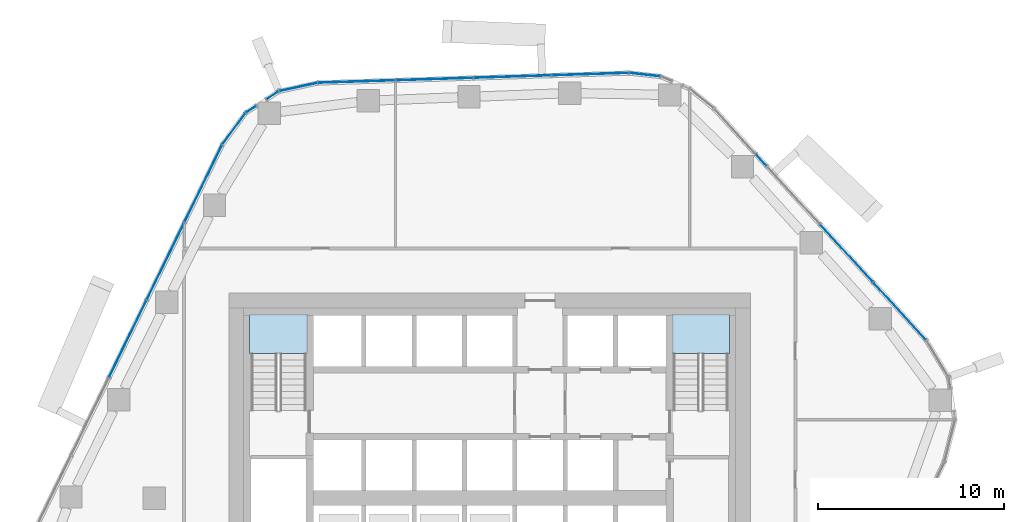
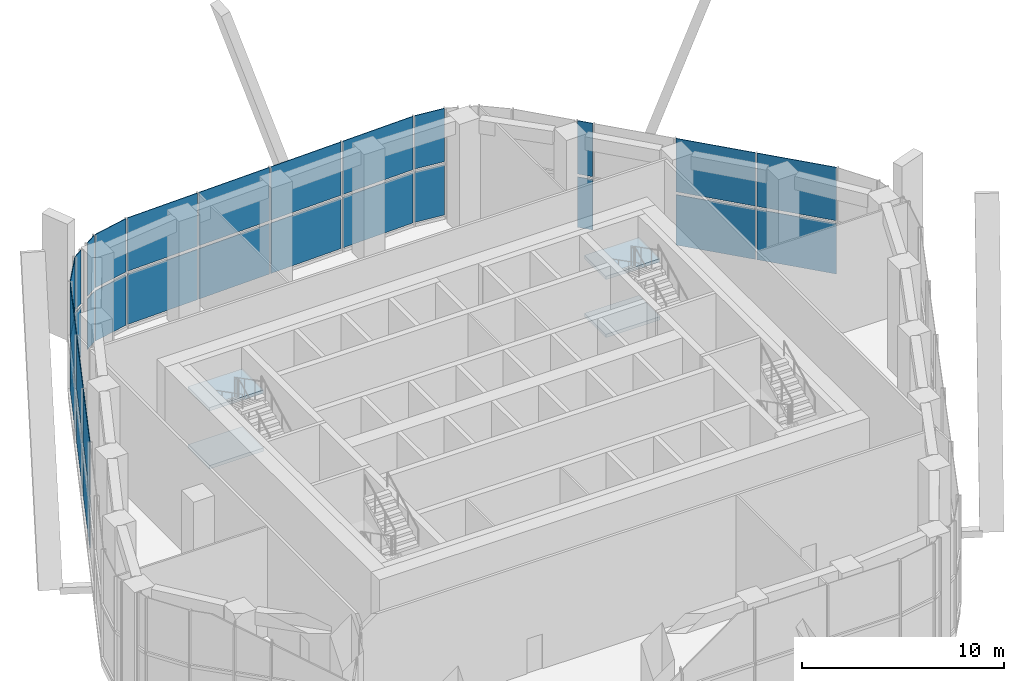
# One storey, part 10 of 20: 30 plates, 4 slabs, 8 elements without a shape of their own.
"""IFC4 building model written with IfcOpenShell, lengths in metres."""

from ifc_helpers import new_model, si_unit, direction, frame, origin, origin_2d, place, context, subcontext, project, spatial, polyline, rectangle, outline, extrude, material, layer, layer_set, type_object, element, aggregate, save


model = new_model("IFC4")

# Units and contexts
model_context = context("Model", 3, precision=1e-05, world=origin(), true_north=direction((0.0, 1.0)))
body_context = subcontext(model_context, "Body", "Model", "MODEL_VIEW")
ifc_project = project(units=[si_unit("LENGTHUNIT", "METRE"), si_unit("AREAUNIT", "SQUARE_METRE"), si_unit("VOLUMEUNIT", "CUBIC_METRE"), si_unit("PLANEANGLEUNIT", "RADIAN"), si_unit("MASSUNIT", "GRAM", prefix="KILO")], contexts=[model_context])

# Site, building, storey
site_placement = place(None, origin())
site = spatial("IfcSite", under=ifc_project, at=site_placement, CompositionType="ELEMENT")
building_placement = place(site_placement, origin())
building = spatial("IfcBuilding", under=site, at=building_placement, Name="Dongbaek Canopy Tower", CompositionType="ELEMENT")
storey_placement = place(building_placement, frame((0.0, 0.0, 151.60009765625)))
storey = spatial("IfcBuildingStorey", under=building, at=storey_placement, Name="L33", CompositionType="ELEMENT", Elevation=151.60009765625)

# Curtain wall, plates
ifc_material_1 = material(Name="Aluminium 6063-T6 pale anodised", Category="aluminium")
ifc_layer_1 = layer(ifc_material_1, 0.25)
ifc_layer_set_1 = layer_set([ifc_layer_1], Name="CW-4 sky-lobby curtain wall")
curtain_wall_type = type_object("IfcCurtainWallType", Name="CW-4 sky-lobby curtain wall", PredefinedType="NOTDEFINED", material=ifc_layer_set_1)
curtain_wall_1_placement = place(storey_placement, origin())
curtain_wall_1 = element("IfcCurtainWall", 1, at=curtain_wall_1_placement, inside=storey, type_object=curtain_wall_type, Name="CW-4 curtain wall F0.1a", PredefinedType="NOTDEFINED")
ifc_material_2 = material(Name="Clear laminated glass", Category="glass")
ifc_layer_2 = layer(ifc_material_2, 0.035888671875)
ifc_layer_set_2 = layer_set([ifc_layer_2], Name="CW-4 glazed panel 36")
plate_type = type_object("IfcPlateType", Name="CW-4 glazed panel 36", PredefinedType="CURTAIN_PANEL", material=ifc_layer_set_2)
plate_1_placement = place(storey_placement, frame((21.9970703125, 10.0390625, 0.179931640625), z_axis=(0.0, 0.0, 1.0), x_axis=(-0.675756226876, 0.737125173792, 0.0)))
plate_1 = element("IfcPlate", 2, at=plate_1_placement, type_object=plate_type, Name="CW-4 panel F0.1a.1.1", PredefinedType="CURTAIN_PANEL", context=body_context, shape_type="SweptSolid", body=[
    extrude(rectangle(XDim=4.111083984375, YDim=0.035888671875, at=origin_2d()), origin(), (0.0, 0.0, 1.0), 3.0400390625),
])
plate_2_placement = place(storey_placement, frame((21.9970703125, 10.0390625, 3.39990234375), z_axis=(0.0, 0.0, 1.0), x_axis=(-0.675756226876, 0.737125173792, 0.0)))
plate_2 = element("IfcPlate", 3, at=plate_2_placement, type_object=plate_type, Name="CW-4 panel F0.1a.1.2", PredefinedType="CURTAIN_PANEL", context=body_context, shape_type="SweptSolid", body=[
    extrude(rectangle(XDim=4.111083984375, YDim=0.035888671875, at=origin_2d()), origin(), (0.0, 0.0, 1.0), 3.219970703125),
])
plate_3_placement = place(storey_placement, frame((19.152099609375, 13.142333984375, 0.179931640625), z_axis=(0.0, 0.0, 1.0), x_axis=(-0.675756226876, 0.737125173792, 0.0)))
plate_3 = element("IfcPlate", 4, at=plate_3_placement, type_object=plate_type, Name="CW-4 panel F0.1a.2.1", PredefinedType="CURTAIN_PANEL", context=body_context, shape_type="SweptSolid", body=[
    extrude(rectangle(XDim=4.12109375, YDim=0.035888671875, at=origin_2d()), origin(), (0.0, 0.0, 1.0), 3.0400390625),
])
plate_4_placement = place(storey_placement, frame((19.152099609375, 13.142333984375, 3.39990234375), z_axis=(0.0, 0.0, 1.0), x_axis=(-0.675756226876, 0.737125173792, 0.0)))
plate_4 = element("IfcPlate", 5, at=plate_4_placement, type_object=plate_type, Name="CW-4 panel F0.1a.2.2", PredefinedType="CURTAIN_PANEL", context=body_context, shape_type="SweptSolid", body=[
    extrude(rectangle(XDim=4.12109375, YDim=0.035888671875, at=origin_2d()), origin(), (0.0, 0.0, 1.0), 3.219970703125),
])
plate_5_placement = place(storey_placement, frame((14.576904296875, 18.133056640625, 0.179931640625), z_axis=(0.0, 0.0, 1.0), x_axis=(-0.675756226876, 0.737125173792, 0.0)))
plate_5 = element("IfcPlate", 6, at=plate_5_placement, type_object=plate_type, Name="CW-4 panel F0.1a.4.1", PredefinedType="CURTAIN_PANEL", context=body_context, shape_type="SweptSolid", body=[
    extrude(rectangle(XDim=0.801513671875, YDim=0.035888671875, at=origin_2d()), origin(), (0.0, 0.0, 1.0), 3.0400390625),
])
plate_6_placement = place(storey_placement, frame((14.576904296875, 18.133056640625, 3.39990234375), z_axis=(0.0, 0.0, 1.0), x_axis=(-0.675756226876, 0.737125173792, 0.0)))
plate_6 = element("IfcPlate", 7, at=plate_6_placement, type_object=plate_type, Name="CW-4 panel F0.1a.4.2", PredefinedType="CURTAIN_PANEL", context=body_context, shape_type="SweptSolid", body=[
    extrude(rectangle(XDim=0.801513671875, YDim=0.035888671875, at=origin_2d()), origin(), (0.0, 0.0, 1.0), 3.219970703125),
])
aggregate(curtain_wall_1, [plate_1, plate_2, plate_3, plate_4, plate_5, plate_6])

curtain_wall_2_placement = place(storey_placement, origin())
curtain_wall_2 = element("IfcCurtainWall", 8, at=curtain_wall_2_placement, inside=storey, type_object=curtain_wall_type, Name="CW-4 curtain wall K1.1b", PredefinedType="NOTDEFINED")
plate_7_placement = place(storey_placement, frame((8.32861328125, 22.725341796875, 0.179931640625), z_axis=(0.0, 0.0, 1.0), x_axis=(-0.993782174191, 0.111341772306, 0.0)))
plate_7 = element("IfcPlate", 9, at=plate_7_placement, type_object=plate_type, Name="CW-4 panel K1.1b.2.1", PredefinedType="CURTAIN_PANEL", context=body_context, shape_type="SweptSolid", body=[
    extrude(rectangle(XDim=1.599853515625, YDim=0.035888671875, at=origin_2d()), origin(), (0.0, 0.0, 1.0), 3.0400390625),
])
plate_8_placement = place(storey_placement, frame((8.32861328125, 22.725341796875, 3.39990234375), z_axis=(0.0, 0.0, 1.0), x_axis=(-0.993782174191, 0.111341772306, 0.0)))
plate_8 = element("IfcPlate", 10, at=plate_8_placement, type_object=plate_type, Name="CW-4 panel K1.1b.2.2", PredefinedType="CURTAIN_PANEL", context=body_context, shape_type="SweptSolid", body=[
    extrude(rectangle(XDim=1.599853515625, YDim=0.035888671875, at=origin_2d()), origin(), (0.0, 0.0, 1.0), 3.219970703125),
])
aggregate(curtain_wall_2, [plate_7, plate_8])

curtain_wall_3_placement = place(storey_placement, origin())
curtain_wall_3 = element("IfcCurtainWall", 11, at=curtain_wall_3_placement, inside=storey, type_object=curtain_wall_type, Name="CW-4 curtain wall F1.1", PredefinedType="NOTDEFINED")
plate_9_placement = place(storey_placement, frame((5.3994140625, 22.753173828125, 0.179931640625), z_axis=(0.0, 0.0, 1.0), x_axis=(-0.999492083011, -0.031868103134, 0.0)))
plate_9 = element("IfcPlate", 12, at=plate_9_placement, type_object=plate_type, Name="CW-4 panel F1.1.1.1", PredefinedType="CURTAIN_PANEL", context=body_context, shape_type="SweptSolid", body=[
    extrude(rectangle(XDim=4.0830078125, YDim=0.035888671875, at=origin_2d()), origin(), (0.0, 0.0, 1.0), 3.0400390625),
])
plate_10_placement = place(storey_placement, frame((5.3994140625, 22.753173828125, 3.39990234375), z_axis=(0.0, 0.0, 1.0), x_axis=(-0.999492083011, -0.031868103134, 0.0)))
plate_10 = element("IfcPlate", 13, at=plate_10_placement, type_object=plate_type, Name="CW-4 panel F1.1.1.2", PredefinedType="CURTAIN_PANEL", context=body_context, shape_type="SweptSolid", body=[
    extrude(rectangle(XDim=4.0830078125, YDim=0.035888671875, at=origin_2d()), origin(), (0.0, 0.0, 1.0), 3.219970703125),
])
plate_11_placement = place(storey_placement, frame((1.220703125, 22.619873046875, 0.179931640625), z_axis=(0.0, 0.0, 1.0), x_axis=(-0.999492083011, -0.031868103134, 0.0)))
plate_11 = element("IfcPlate", 14, at=plate_11_placement, type_object=plate_type, Name="CW-4 panel F1.1.2.1", PredefinedType="CURTAIN_PANEL", context=body_context, shape_type="SweptSolid", body=[
    extrude(rectangle(XDim=4.09033203125, YDim=0.035888671875, at=origin_2d()), origin(), (0.0, 0.0, 1.0), 3.0400390625),
])
plate_12_placement = place(storey_placement, frame((1.220703125, 22.619873046875, 3.39990234375), z_axis=(0.0, 0.0, 1.0), x_axis=(-0.999492083011, -0.031868103134, 0.0)))
plate_12 = element("IfcPlate", 15, at=plate_12_placement, type_object=plate_type, Name="CW-4 panel F1.1.2.2", PredefinedType="CURTAIN_PANEL", context=body_context, shape_type="SweptSolid", body=[
    extrude(rectangle(XDim=4.09033203125, YDim=0.035888671875, at=origin_2d()), origin(), (0.0, 0.0, 1.0), 3.219970703125),
])
plate_13_placement = place(storey_placement, frame((-2.96142578125, 22.486572265625, 0.179931640625), z_axis=(0.0, 0.0, 1.0), x_axis=(-0.999492083011, -0.031868103134, 0.0)))
plate_13 = element("IfcPlate", 16, at=plate_13_placement, type_object=plate_type, Name="CW-4 panel F1.1.3.1", PredefinedType="CURTAIN_PANEL", context=body_context, shape_type="SweptSolid", body=[
    extrude(rectangle(XDim=4.09033203125, YDim=0.035888671875, at=origin_2d()), origin(), (0.0, 0.0, 1.0), 3.0400390625),
])
plate_14_placement = place(storey_placement, frame((-2.96142578125, 22.486572265625, 3.39990234375), z_axis=(0.0, 0.0, 1.0), x_axis=(-0.999492083011, -0.031868103134, 0.0)))
plate_14 = element("IfcPlate", 17, at=plate_14_placement, type_object=plate_type, Name="CW-4 panel F1.1.3.2", PredefinedType="CURTAIN_PANEL", context=body_context, shape_type="SweptSolid", body=[
    extrude(rectangle(XDim=4.09033203125, YDim=0.035888671875, at=origin_2d()), origin(), (0.0, 0.0, 1.0), 3.219970703125),
])
plate_15_placement = place(storey_placement, frame((-7.138916015625, 22.353271484375, 0.179931640625), z_axis=(0.0, 0.0, 1.0), x_axis=(-0.999492083011, -0.031868103134, 0.0)))
plate_15 = element("IfcPlate", 18, at=plate_15_placement, type_object=plate_type, Name="CW-4 panel F1.1.4.1", PredefinedType="CURTAIN_PANEL", context=body_context, shape_type="SweptSolid", body=[
    extrude(rectangle(XDim=4.081298828125, YDim=0.035888671875, at=origin_2d()), origin(), (0.0, 0.0, 1.0), 3.0400390625),
])
plate_16_placement = place(storey_placement, frame((-7.138916015625, 22.353271484375, 3.39990234375), z_axis=(0.0, 0.0, 1.0), x_axis=(-0.999492083011, -0.031868103134, 0.0)))
plate_16 = element("IfcPlate", 19, at=plate_16_placement, type_object=plate_type, Name="CW-4 panel F1.1.4.2", PredefinedType="CURTAIN_PANEL", context=body_context, shape_type="SweptSolid", body=[
    extrude(rectangle(XDim=4.081298828125, YDim=0.035888671875, at=origin_2d()), origin(), (0.0, 0.0, 1.0), 3.219970703125),
])
aggregate(curtain_wall_3, [plate_9, plate_10, plate_11, plate_12, plate_13, plate_14, plate_15, plate_16])

curtain_wall_4_placement = place(storey_placement, origin())
curtain_wall_4 = element("IfcCurtainWall", 20, at=curtain_wall_4_placement, inside=storey, type_object=curtain_wall_type, Name="CW-4 curtain wall K2.1a", PredefinedType="NOTDEFINED")
plate_17_placement = place(storey_placement, frame((-10.26806640625, 22.0615234375, 0.179931640625), z_axis=(0.0, 0.0, 1.0), x_axis=(-0.977417719013, -0.211316356582, 0.0)))
plate_17 = element("IfcPlate", 21, at=plate_17_placement, type_object=plate_type, Name="CW-4 panel K2.1a.1.1", PredefinedType="CURTAIN_PANEL", context=body_context, shape_type="SweptSolid", body=[
    extrude(rectangle(XDim=2.039306640625, YDim=0.035888671875, at=origin_2d()), origin(), (0.0, 0.0, 1.0), 3.0400390625),
])
plate_18_placement = place(storey_placement, frame((-10.26806640625, 22.0615234375, 3.39990234375), z_axis=(0.0, 0.0, 1.0), x_axis=(-0.977417719013, -0.211316356582, 0.0)))
plate_18 = element("IfcPlate", 22, at=plate_18_placement, type_object=plate_type, Name="CW-4 panel K2.1a.1.2", PredefinedType="CURTAIN_PANEL", context=body_context, shape_type="SweptSolid", body=[
    extrude(rectangle(XDim=2.039306640625, YDim=0.035888671875, at=origin_2d()), origin(), (0.0, 0.0, 1.0), 3.219970703125),
])
plate_19_placement = place(storey_placement, frame((-11.654052734375, 21.613525390625, 0.179931640625), z_axis=(0.0, 0.0, 1.0), x_axis=(-0.839182729581, -0.543849562262, 0.0)))
plate_19 = element("IfcPlate", 23, at=plate_19_placement, type_object=plate_type, Name="CW-4 panel K2.1a.2.1", PredefinedType="CURTAIN_PANEL", context=body_context, shape_type="SweptSolid", body=[
    extrude(rectangle(XDim=0.72412109375, YDim=0.035888671875, at=origin_2d()), origin(), (0.0, 0.0, 1.0), 3.0400390625),
])
plate_20_placement = place(storey_placement, frame((-11.654052734375, 21.613525390625, 3.39990234375), z_axis=(0.0, 0.0, 1.0), x_axis=(-0.839182729581, -0.543849562262, 0.0)))
plate_20 = element("IfcPlate", 24, at=plate_20_placement, type_object=plate_type, Name="CW-4 panel K2.1a.2.2", PredefinedType="CURTAIN_PANEL", context=body_context, shape_type="SweptSolid", body=[
    extrude(rectangle(XDim=0.72412109375, YDim=0.035888671875, at=origin_2d()), origin(), (0.0, 0.0, 1.0), 3.219970703125),
])
aggregate(curtain_wall_4, [plate_17, plate_18, plate_19, plate_20])

curtain_wall_5_placement = place(storey_placement, origin())
curtain_wall_5 = element("IfcCurtainWall", 25, at=curtain_wall_5_placement, inside=storey, type_object=curtain_wall_type, Name="CW-4 curtain wall K2.1b", PredefinedType="NOTDEFINED")
plate_21_placement = place(storey_placement, frame((-12.80029296875, 20.87060546875, 0.179931640625), z_axis=(0.0, 0.0, 1.0), x_axis=(-0.839182729581, -0.543849562262, 0.0)))
plate_21 = element("IfcPlate", 26, at=plate_21_placement, type_object=plate_type, Name="CW-4 panel K2.1b.1.1", PredefinedType="CURTAIN_PANEL", context=body_context, shape_type="SweptSolid", body=[
    extrude(rectangle(XDim=0.604248046875, YDim=0.035888671875, at=origin_2d()), origin(), (0.0, 0.0, 1.0), 3.0400390625),
])
plate_22_placement = place(storey_placement, frame((-12.80029296875, 20.87060546875, 3.39990234375), z_axis=(0.0, 0.0, 1.0), x_axis=(-0.839182729581, -0.543849562262, 0.0)))
plate_22 = element("IfcPlate", 27, at=plate_22_placement, type_object=plate_type, Name="CW-4 panel K2.1b.1.2", PredefinedType="CURTAIN_PANEL", context=body_context, shape_type="SweptSolid", body=[
    extrude(rectangle(XDim=0.604248046875, YDim=0.035888671875, at=origin_2d()), origin(), (0.0, 0.0, 1.0), 3.219970703125),
])
plate_23_placement = place(storey_placement, frame((-13.724853515625, 19.8212890625, 0.179931640625), z_axis=(0.0, 0.0, 1.0), x_axis=(-0.592116443744, -0.805852416419, 0.0)))
plate_23 = element("IfcPlate", 28, at=plate_23_placement, type_object=plate_type, Name="CW-4 panel K2.1b.2.1", PredefinedType="CURTAIN_PANEL", context=body_context, shape_type="SweptSolid", body=[
    extrude(rectangle(XDim=2.039306640625, YDim=0.035888671875, at=origin_2d()), origin(), (0.0, 0.0, 1.0), 3.0400390625),
])
plate_24_placement = place(storey_placement, frame((-13.724853515625, 19.8212890625, 3.39990234375), z_axis=(0.0, 0.0, 1.0), x_axis=(-0.592116443744, -0.805852416419, 0.0)))
plate_24 = element("IfcPlate", 29, at=plate_24_placement, type_object=plate_type, Name="CW-4 panel K2.1b.2.2", PredefinedType="CURTAIN_PANEL", context=body_context, shape_type="SweptSolid", body=[
    extrude(rectangle(XDim=2.039306640625, YDim=0.035888671875, at=origin_2d()), origin(), (0.0, 0.0, 1.0), 3.219970703125),
])
aggregate(curtain_wall_5, [plate_21, plate_22, plate_23, plate_24])

curtain_wall_6_placement = place(storey_placement, origin())
curtain_wall_6 = element("IfcCurtainWall", 30, at=curtain_wall_6_placement, inside=storey, type_object=curtain_wall_type, Name="CW-4 curtain wall F2.1", PredefinedType="NOTDEFINED")
plate_25_placement = place(storey_placement, frame((-15.367919921875, 16.881591796875, 0.179931640625), z_axis=(0.0, 0.0, 1.0), x_axis=(-0.437336359513, -0.899298008809, 0.0)))
plate_25 = element("IfcPlate", 31, at=plate_25_placement, type_object=plate_type, Name="CW-4 panel F2.1.1.1", PredefinedType="CURTAIN_PANEL", context=body_context, shape_type="SweptSolid", body=[
    extrude(rectangle(XDim=4.5322265625, YDim=0.035888671875, at=origin_2d()), origin(), (0.0, 0.0, 1.0), 3.0400390625),
])
plate_26_placement = place(storey_placement, frame((-15.367919921875, 16.881591796875, 3.39990234375), z_axis=(0.0, 0.0, 1.0), x_axis=(-0.437336359513, -0.899298008809, 0.0)))
plate_26 = element("IfcPlate", 32, at=plate_26_placement, type_object=plate_type, Name="CW-4 panel F2.1.1.2", PredefinedType="CURTAIN_PANEL", context=body_context, shape_type="SweptSolid", body=[
    extrude(rectangle(XDim=4.5322265625, YDim=0.035888671875, at=origin_2d()), origin(), (0.0, 0.0, 1.0), 3.219970703125),
])
plate_27_placement = place(storey_placement, frame((-17.39306640625, 12.717041015625, 0.179931640625), z_axis=(0.0, 0.0, 1.0), x_axis=(-0.437336359513, -0.899298008809, 0.0)))
plate_27 = element("IfcPlate", 33, at=plate_27_placement, type_object=plate_type, Name="CW-4 panel F2.1.2.1", PredefinedType="CURTAIN_PANEL", context=body_context, shape_type="SweptSolid", body=[
    extrude(rectangle(XDim=4.541259765625, YDim=0.035888671875, at=origin_2d()), origin(), (0.0, 0.0, 1.0), 3.0400390625),
])
plate_28_placement = place(storey_placement, frame((-17.39306640625, 12.717041015625, 3.39990234375), z_axis=(0.0, 0.0, 1.0), x_axis=(-0.437336359513, -0.899298008809, 0.0)))
plate_28 = element("IfcPlate", 34, at=plate_28_placement, type_object=plate_type, Name="CW-4 panel F2.1.2.2", PredefinedType="CURTAIN_PANEL", context=body_context, shape_type="SweptSolid", body=[
    extrude(rectangle(XDim=4.541259765625, YDim=0.035888671875, at=origin_2d()), origin(), (0.0, 0.0, 1.0), 3.219970703125),
])
plate_29_placement = place(storey_placement, frame((-19.42041015625, 8.548583984375, 0.179931640625), z_axis=(0.0, 0.0, 1.0), x_axis=(-0.437336359513, -0.899298008809, 0.0)))
plate_29 = element("IfcPlate", 35, at=plate_29_placement, type_object=plate_type, Name="CW-4 panel F2.1.3.1", PredefinedType="CURTAIN_PANEL", context=body_context, shape_type="SweptSolid", body=[
    extrude(rectangle(XDim=4.541259765625, YDim=0.035888671875, at=origin_2d()), origin(), (0.0, 0.0, 1.0), 3.0400390625),
])
plate_30_placement = place(storey_placement, frame((-19.42041015625, 8.548583984375, 3.39990234375), z_axis=(0.0, 0.0, 1.0), x_axis=(-0.437336359513, -0.899298008809, 0.0)))
plate_30 = element("IfcPlate", 36, at=plate_30_placement, type_object=plate_type, Name="CW-4 panel F2.1.3.2", PredefinedType="CURTAIN_PANEL", context=body_context, shape_type="SweptSolid", body=[
    extrude(rectangle(XDim=4.541259765625, YDim=0.035888671875, at=origin_2d()), origin(), (0.0, 0.0, 1.0), 3.219970703125),
])
aggregate(curtain_wall_6, [plate_25, plate_26, plate_27, plate_28, plate_29, plate_30])

# Stair, slabs
ifc_material_3 = material(Name="Concrete C40/50", Category="concrete")
stair_type = type_object("IfcStairType", Name="Core exit stair", PredefinedType="HALF_TURN_STAIR", material=ifc_material_3)
stair_1_placement = place(storey_placement, origin())
stair_1 = element("IfcStair", 37, at=stair_1_placement, inside=storey, type_object=stair_type, Name="L33 exit stair A", PredefinedType="HALF_TURN_STAIR")
ifc_material_4 = material(Name="Concrete C40/50", Category="concrete")
ifc_layer_3 = layer(ifc_material_4, 0.199951171875)
ifc_layer_set_3 = layer_set([ifc_layer_3], Name="Core stair landing 200")
slab_type = type_object("IfcSlabType", Name="Core stair landing 200", PredefinedType="LANDING", material=ifc_layer_set_3)
slab_1_placement = place(storey_placement, frame((0.0, 0.0, 1.5498046875)))
slab_1 = element("IfcSlab", 38, at=slab_1_placement, type_object=slab_type, Name="ST-A landing 1", PredefinedType="LANDING", context=body_context, shape_type="SweptSolid", body=[
    extrude(outline(polyline([(12.875, 7.760009765625), (12.875, 9.875), (9.77490234375, 9.875), (9.77490234375, 7.760009765625), (12.875, 7.760009765625)])), origin(), (0.0, 0.0, 1.0), 0.2001953125),
])
slab_2_placement = place(storey_placement, frame((0.0, 0.0, 5.0498046875)))
slab_2 = element("IfcSlab", 39, at=slab_2_placement, type_object=slab_type, Name="ST-A landing 3", PredefinedType="LANDING", context=body_context, shape_type="SweptSolid", body=[
    extrude(outline(polyline([(12.875, 7.760009765625), (12.875, 9.875), (9.77490234375, 9.875), (9.77490234375, 7.760009765625), (12.875, 7.760009765625)])), origin(), (0.0, 0.0, 1.0), 0.2001953125),
])
aggregate(stair_1, [slab_1, slab_2])

stair_2_placement = place(storey_placement, origin())
stair_2 = element("IfcStair", 40, at=stair_2_placement, inside=storey, type_object=stair_type, Name="L33 exit stair C", PredefinedType="HALF_TURN_STAIR")
slab_3_placement = place(storey_placement, frame((0.0, 0.0, 1.5498046875)))
slab_3 = element("IfcSlab", 41, at=slab_3_placement, type_object=slab_type, Name="ST-C landing 1", PredefinedType="LANDING", context=body_context, shape_type="SweptSolid", body=[
    extrude(outline(polyline([(-9.77490234375, 7.760009765625), (-9.77490234375, 9.875), (-12.875, 9.875), (-12.875, 7.760009765625), (-9.77490234375, 7.760009765625)])), origin(), (0.0, 0.0, 1.0), 0.2001953125),
])
slab_4_placement = place(storey_placement, frame((0.0, 0.0, 5.0498046875)))
slab_4 = element("IfcSlab", 42, at=slab_4_placement, type_object=slab_type, Name="ST-C landing 3", PredefinedType="LANDING", context=body_context, shape_type="SweptSolid", body=[
    extrude(outline(polyline([(-9.77490234375, 7.760009765625), (-9.77490234375, 9.875), (-12.875, 9.875), (-12.875, 7.760009765625), (-9.77490234375, 7.760009765625)])), origin(), (0.0, 0.0, 1.0), 0.2001953125),
])
aggregate(stair_2, [slab_3, slab_4])

save(model, "model.ifc")
